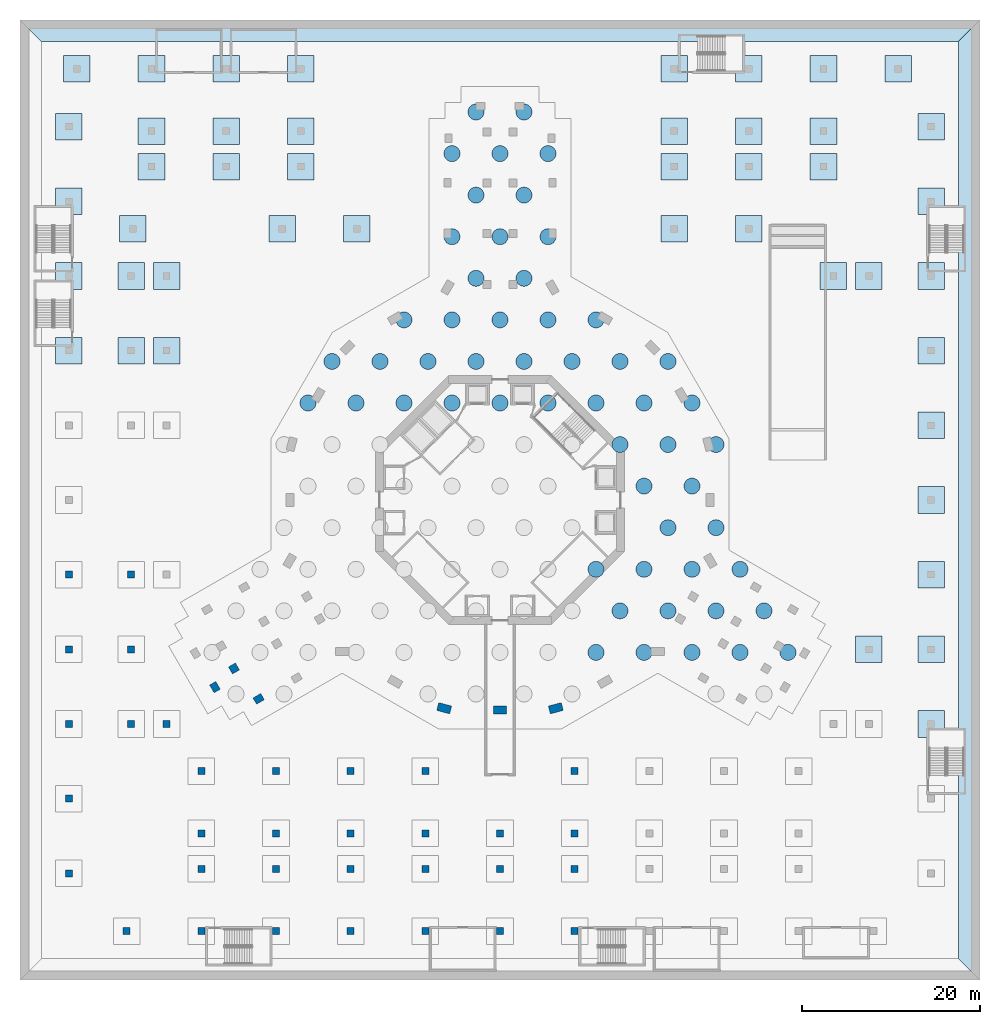
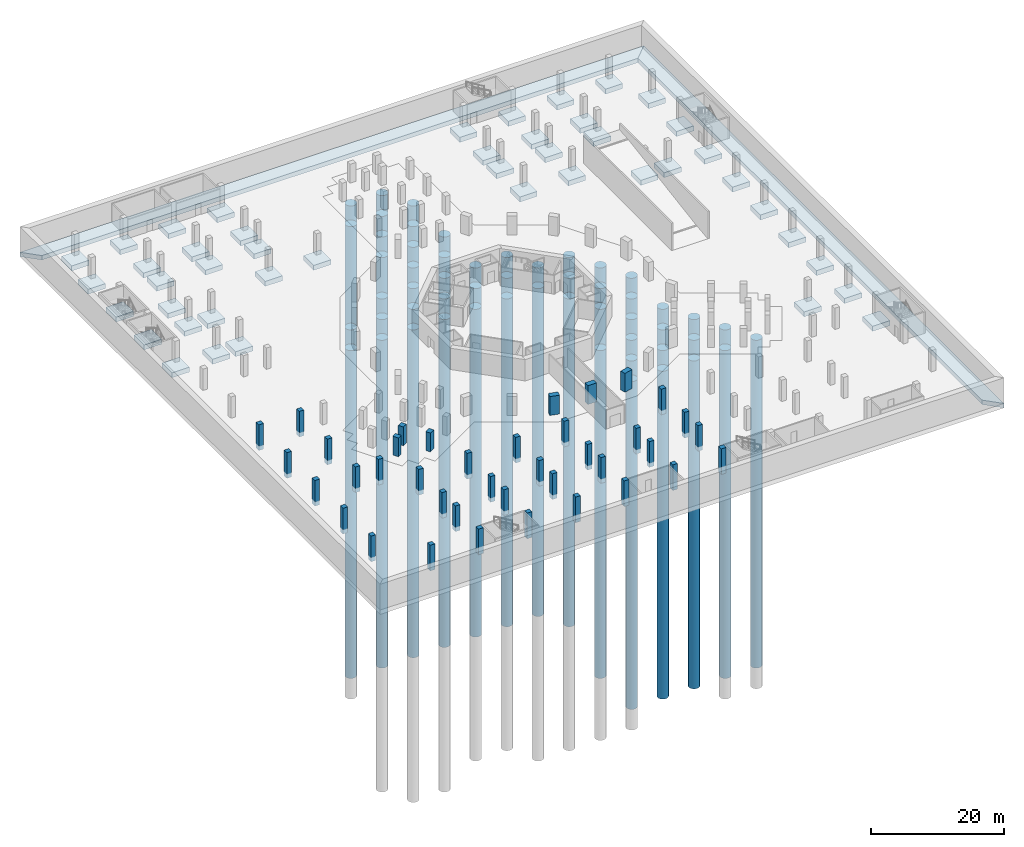
# One storey, part 2 of 27: 54 piles, 47 footings, 39 columns.
"""IFC4 building model written with IfcOpenShell, lengths in metres."""

from ifc_helpers import new_model, si_unit, direction, frame, origin, origin_2d, place, context, subcontext, project, spatial, polyline, rectangle, circle, outline, extrude, material, material_profile, profile_set, type_object, element, save


model = new_model("IFC4")

# Units and contexts
model_context = context("Model", 3, precision=1e-05, world=origin(), true_north=direction((0.0, 1.0)))
body_context = subcontext(model_context, "Body", "Model", "MODEL_VIEW")
ifc_project = project(units=[si_unit("LENGTHUNIT", "METRE"), si_unit("AREAUNIT", "SQUARE_METRE"), si_unit("VOLUMEUNIT", "CUBIC_METRE"), si_unit("PLANEANGLEUNIT", "RADIAN"), si_unit("MASSUNIT", "GRAM", prefix="KILO")], contexts=[model_context])

# Site, building, storey
site_placement = place(None, origin())
site = spatial("IfcSite", under=ifc_project, at=site_placement, CompositionType="ELEMENT")
building_placement = place(site_placement, origin())
building = spatial("IfcBuilding", under=site, at=building_placement, Name="Verdalira Terraces Hotel", CompositionType="ELEMENT")
storey_placement = place(building_placement, frame((0.0, 0.0, -11.699951)))
storey = spatial("IfcBuildingStorey", under=building, at=storey_placement, Name="B3", CompositionType="ELEMENT", Elevation=-11.699951171875)

# Piles
ifc_material_1 = material(Name="Concrete C45", Category="concrete")
ifc_material_profile_1 = material_profile(ifc_material_1, circle(Radius=0.899902, at=origin_2d()), Name="D1800")
ifc_profile_set_1 = profile_set([ifc_material_profile_1], Name="Concrete C45")
pile_type = type_object("IfcPileType", Name="Bored pile D1800 C45", PredefinedType="BORED", material=ifc_profile_set_1)
for number, where, z_axis, x_axis, name in (
    (1, (10.800049, -17.147217, -3.400146), (0.0, 0.0, -1.0), (1.0, 0.0, 0.0), "Bored pile P-017"),
    (2, (16.199951, -17.147217, -3.400146), (0.0, 0.0, -1.0), (1.0, 0.0, 0.0), "Bored pile P-018"),
    (3, (21.600098, -17.147217, -3.400146), (0.0, 0.0, -1.0), (1.0, 0.0, 0.0), "Bored pile P-019"),
    (4, (27.0, -17.147217, -3.400146), (0.0, 0.0, -1.0), (1.0, 0.0, 0.0), "Bored pile P-020"),
    (5, (32.399902, -17.147217, -3.400146), (0.0, 0.0, -1.0), (1.0, 0.0, 0.0), "Bored pile P-021"),
    (6, (13.5, -12.470703, -3.400146), (0.0, 0.0, -1.0), (1.0, 0.0, 0.0), "Bored pile P-030"),
    (7, (18.899902, -12.470703, -3.400146), (0.0, 0.0, -1.0), (1.0, 0.0, 0.0), "Bored pile P-031"),
    (8, (24.300049, -12.470703, -3.400146), (0.0, 0.0, -1.0), (1.0, 0.0, 0.0), "Bored pile P-032"),
    (9, (29.699951, -12.470703, -3.400146), (0.0, 0.0, -1.0), (1.0, 0.0, 0.0), "Bored pile P-033"),
    (10, (10.800049, -7.794189, -3.400146), (0.0, 0.0, -1.0), (1.0, 0.0, 0.0), "Bored pile P-041"),
    (11, (16.199951, -7.794189, -3.400146), (0.0, 0.0, -1.0), (1.0, 0.0, 0.0), "Bored pile P-042"),
    (12, (21.600098, -7.794189, -3.400146), (0.0, 0.0, -1.0), (1.0, 0.0, 0.0), "Bored pile P-043"),
    (13, (27.0, -7.794189, -3.400146), (0.0, 0.0, -1.0), (1.0, 0.0, 0.0), "Bored pile P-044"),
    (14, (18.899902, -3.117676, -3.400146), (0.0, 0.0, -1.0), (1.0, 0.0, 0.0), "Bored pile P-052"),
    (15, (24.300049, -3.117676, -3.400146), (0.0, 0.0, -1.0), (1.0, 0.0, 0.0), "Bored pile P-053"),
    (16, (16.199951, 1.558838, -3.400146), (0.0, 0.0, -1.0), (1.0, 0.0, 0.0), "Bored pile P-060"),
    (17, (21.600098, 1.558838, -3.400146), (0.0, 0.0, -1.0), (1.0, 0.0, 0.0), "Bored pile P-061"),
    (18, (13.5, 6.235352, -3.400146), (0.0, 0.0, -1.0), (1.0, 0.0, 0.0), "Bored pile P-068"),
    (19, (18.899902, 6.235352, -3.400146), (0.0, 0.0, -1.0), (1.0, 0.0, 0.0), "Bored pile P-069"),
    (20, (24.300049, 6.235352, -3.400146), (0.0, 0.0, -1.0), (1.0, 0.0, 0.0), "Bored pile P-070"),
    (21, (-21.600098, 10.911865, -3.400146), (0.0, 0.0, -1.0), (1.0, 0.0, 0.0), "Bored pile P-071"),
    (22, (-16.199951, 10.911865, -3.400146), (0.0, 0.0, -1.0), (1.0, 0.0, 0.0), "Bored pile P-072"),
    (23, (-10.800049, 10.911865, -3.400146), (0.0, 0.0, -1.0), (1.0, 0.0, 0.0), "Bored pile P-073"),
    (24, (-5.399902, 10.911865, -3.400146), (0.0, 0.0, -1.0), (1.0, 0.0, 0.0), "Bored pile P-074"),
    (25, (0.0, 10.911865, -3.400146), (0.0, 0.0, -1.0), (1.0, 0.0, 0.0), "Bored pile P-075"),
    (26, (5.399902, 10.911865, -3.400146), (0.0, 0.0, -1.0), (1.0, 0.0, 0.0), "Bored pile P-076"),
    (27, (10.800049, 10.911865, -3.400146), (0.0, 0.0, -1.0), (1.0, 0.0, 0.0), "Bored pile P-077"),
    (28, (16.199951, 10.911865, -3.400146), (0.0, 0.0, -1.0), (1.0, 0.0, 0.0), "Bored pile P-078"),
    (29, (21.600098, 10.911865, -3.400146), (0.0, 0.0, -1.0), (1.0, 0.0, 0.0), "Bored pile P-079"),
    (30, (-18.899902, 15.588379, -3.400146), (0.0, 0.0, -1.0), (1.0, 0.0, 0.0), "Bored pile P-080"),
    (31, (-13.5, 15.588379, -3.400146), (0.0, 0.0, -1.0), (1.0, 0.0, 0.0), "Bored pile P-081"),
    (32, (-8.100098, 15.588379, -3.400146), (0.0, 0.0, -1.0), (1.0, 0.0, 0.0), "Bored pile P-082"),
    (33, (-2.699951, 15.588379, -3.400146), (0.0, 0.0, -1.0), (1.0, 0.0, 0.0), "Bored pile P-083"),
    (34, (2.699951, 15.588379, -3.400146), (0.0, 0.0, -1.0), (1.0, 0.0, 0.0), "Bored pile P-084"),
    (35, (8.100098, 15.588379, -3.400146), (0.0, 0.0, -1.0), (1.0, 0.0, 0.0), "Bored pile P-085"),
    (36, (13.5, 15.588379, -3.400146), (0.0, 0.0, -1.0), (1.0, 0.0, 0.0), "Bored pile P-086"),
    (37, (18.899902, 15.588379, -3.400146), (0.0, 0.0, -1.0), (1.0, 0.0, 0.0), "Bored pile P-087"),
    (38, (-10.800049, 20.264893, -3.400146), (0.0, 0.0, -1.0), (1.0, 0.0, 0.0), "Bored pile P-088"),
    (39, (-5.399902, 20.264893, -3.400146), (0.0, 0.0, -1.0), (1.0, 0.0, 0.0), "Bored pile P-089"),
    (40, (0.0, 20.264893, -3.400146), (0.0, 0.0, -1.0), (1.0, 0.0, 0.0), "Bored pile P-090"),
    (41, (5.399902, 20.264893, -3.400146), (0.0, 0.0, -1.0), (1.0, 0.0, 0.0), "Bored pile P-091"),
    (42, (10.800049, 20.264893, -3.400146), (0.0, 0.0, -1.0), (1.0, 0.0, 0.0), "Bored pile P-092"),
    (43, (-2.699951, 24.941406, -3.400146), (0.0, 0.0, -1.0), (1.0, 0.0, 0.0), "Bored pile P-093"),
    (44, (2.699951, 24.941406, -3.400146), (0.0, 0.0, -1.0), (1.0, 0.0, 0.0), "Bored pile P-094"),
    (45, (-5.399902, 29.618164, -3.400146), (0.0, 0.0, -1.0), (1.0, 0.0, 0.0), "Bored pile P-095"),
    (46, (0.0, 29.618164, -3.400146), (0.0, 0.0, -1.0), (1.0, 0.0, 0.0), "Bored pile P-096"),
    (47, (5.399902, 29.618164, -3.400146), (0.0, 0.0, -1.0), (1.0, 0.0, 0.0), "Bored pile P-097"),
    (48, (-2.699951, 34.294678, -3.400146), (0.0, 0.0, -1.0), (1.0, 0.0, 0.0), "Bored pile P-098"),
    (49, (2.699951, 34.294678, -3.400146), (0.0, 0.0, -1.0), (1.0, 0.0, 0.0), "Bored pile P-099"),
    (50, (-5.399902, 38.971191, -3.400146), (0.0, 0.0, -1.0), (1.0, 0.0, 0.0), "Bored pile P-100"),
    (51, (0.0, 38.971191, -3.400146), (0.0, 0.0, -1.0), (1.0, 0.0, 0.0), "Bored pile P-101"),
    (52, (5.399902, 38.971191, -3.400146), (0.0, 0.0, -1.0), (1.0, 0.0, 0.0), "Bored pile P-102"),
    (53, (-2.699951, 43.647705, -3.400146), (0.0, 0.0, -1.0), (1.0, 0.0, 0.0), "Bored pile P-103"),
    (54, (2.699951, 43.647705, -3.400146), (0.0, 0.0, -1.0), (1.0, 0.0, 0.0), "Bored pile P-104"),
):
    element("IfcPile", number, at=place(storey_placement, frame(where, z_axis=z_axis, x_axis=x_axis)), inside=storey, type_object=pile_type, Name=name, PredefinedType="BORED", context=body_context, shape_type="SweptSolid", body=[
        extrude(circle(Radius=0.899902, at=origin_2d()), origin(), (0.0, 0.0, 1.0), 60.0),
    ])

# Footings
ifc_material_2 = material(Name="Concrete C40", Category="concrete")
footing_type_1 = type_object("IfcFootingType", Name="Pad footing 3000 C40", PredefinedType="PAD_FOOTING", material=ifc_material_2)
footing_1_placement = place(storey_placement, frame((0.0, 0.0, -1.699951)))
element("IfcFooting", 55, at=footing_1_placement, inside=storey, type_object=footing_type_1, Name="Pad footing 047", PredefinedType="PAD_FOOTING", context=body_context, shape_type="SweptSolid", body=[
    extrude(outline(polyline([(50.0, -26.699951), (50.0, -23.699951), (47.0, -23.699951), (47.0, -26.699951), (50.0, -26.699951)])), origin(), (0.0, 0.0, 1.0), 0.899902),
])
footing_2_placement = place(storey_placement, frame((0.0, 0.0, -1.699951)))
element("IfcFooting", 56, at=footing_2_placement, inside=storey, type_object=footing_type_1, Name="Pad footing 050", PredefinedType="PAD_FOOTING", context=body_context, shape_type="SweptSolid", body=[
    extrude(outline(polyline([(43.0, -18.300049), (43.0, -15.300049), (40.0, -15.300049), (40.0, -18.300049), (43.0, -18.300049)])), origin(), (0.0, 0.0, 1.0), 0.899902),
])
footing_3_placement = place(storey_placement, frame((0.0, 0.0, -1.699951)))
element("IfcFooting", 57, at=footing_3_placement, inside=storey, type_object=footing_type_1, Name="Pad footing 051", PredefinedType="PAD_FOOTING", context=body_context, shape_type="SweptSolid", body=[
    extrude(outline(polyline([(50.0, -18.300049), (50.0, -15.300049), (47.0, -15.300049), (47.0, -18.300049), (50.0, -18.300049)])), origin(), (0.0, 0.0, 1.0), 0.899902),
])
footing_4_placement = place(storey_placement, frame((0.0, 0.0, -1.699951)))
element("IfcFooting", 58, at=footing_4_placement, inside=storey, type_object=footing_type_1, Name="Pad footing 055", PredefinedType="PAD_FOOTING", context=body_context, shape_type="SweptSolid", body=[
    extrude(outline(polyline([(50.0, -9.899902), (50.0, -6.899902), (47.0, -6.899902), (47.0, -9.899902), (50.0, -9.899902)])), origin(), (0.0, 0.0, 1.0), 0.899902),
])
footing_5_placement = place(storey_placement, frame((0.0, 0.0, -1.699951)))
element("IfcFooting", 59, at=footing_5_placement, inside=storey, type_object=footing_type_1, Name="Pad footing 057", PredefinedType="PAD_FOOTING", context=body_context, shape_type="SweptSolid", body=[
    extrude(outline(polyline([(50.0, -1.5), (50.0, 1.5), (47.0, 1.5), (47.0, -1.5), (50.0, -1.5)])), origin(), (0.0, 0.0, 1.0), 0.899902),
])
footing_6_placement = place(storey_placement, frame((0.0, 0.0, -1.699951)))
element("IfcFooting", 60, at=footing_6_placement, inside=storey, type_object=footing_type_1, Name="Pad footing 061", PredefinedType="PAD_FOOTING", context=body_context, shape_type="SweptSolid", body=[
    extrude(outline(polyline([(50.0, 6.899902), (50.0, 9.899902), (47.0, 9.899902), (47.0, 6.899902), (50.0, 6.899902)])), origin(), (0.0, 0.0, 1.0), 0.899902),
])
footing_7_placement = place(storey_placement, frame((0.0, 0.0, -1.699951)))
element("IfcFooting", 61, at=footing_7_placement, inside=storey, type_object=footing_type_1, Name="Pad footing 062", PredefinedType="PAD_FOOTING", context=body_context, shape_type="SweptSolid", body=[
    extrude(outline(polyline([(-47.0, 15.300049), (-47.0, 18.300049), (-50.0, 18.300049), (-50.0, 15.300049), (-47.0, 15.300049)])), origin(), (0.0, 0.0, 1.0), 0.899902),
])
footing_8_placement = place(storey_placement, frame((0.0, 0.0, -1.699951)))
element("IfcFooting", 62, at=footing_8_placement, inside=storey, type_object=footing_type_1, Name="Pad footing 063", PredefinedType="PAD_FOOTING", context=body_context, shape_type="SweptSolid", body=[
    extrude(outline(polyline([(-40.0, 15.300049), (-40.0, 18.300049), (-43.0, 18.300049), (-43.0, 15.300049), (-40.0, 15.300049)])), origin(), (0.0, 0.0, 1.0), 0.899902),
])
footing_9_placement = place(storey_placement, frame((0.0, 0.0, -1.699951)))
element("IfcFooting", 63, at=footing_9_placement, inside=storey, type_object=footing_type_1, Name="Pad footing 064", PredefinedType="PAD_FOOTING", context=body_context, shape_type="SweptSolid", body=[
    extrude(outline(polyline([(-36.0, 15.300049), (-36.0, 18.300049), (-39.0, 18.300049), (-39.0, 15.300049), (-36.0, 15.300049)])), origin(), (0.0, 0.0, 1.0), 0.899902),
])
footing_10_placement = place(storey_placement, frame((0.0, 0.0, -1.699951)))
element("IfcFooting", 64, at=footing_10_placement, inside=storey, type_object=footing_type_1, Name="Pad footing 065", PredefinedType="PAD_FOOTING", context=body_context, shape_type="SweptSolid", body=[
    extrude(outline(polyline([(50.0, 15.300049), (50.0, 18.300049), (47.0, 18.300049), (47.0, 15.300049), (50.0, 15.300049)])), origin(), (0.0, 0.0, 1.0), 0.899902),
])
footing_11_placement = place(storey_placement, frame((0.0, 0.0, -1.699951)))
element("IfcFooting", 65, at=footing_11_placement, inside=storey, type_object=footing_type_1, Name="Pad footing 066", PredefinedType="PAD_FOOTING", context=body_context, shape_type="SweptSolid", body=[
    extrude(outline(polyline([(-47.0, 23.699951), (-47.0, 26.699951), (-50.0, 26.699951), (-50.0, 23.699951), (-47.0, 23.699951)])), origin(), (0.0, 0.0, 1.0), 0.899902),
])
footing_12_placement = place(storey_placement, frame((0.0, 0.0, -1.699951)))
element("IfcFooting", 66, at=footing_12_placement, inside=storey, type_object=footing_type_1, Name="Pad footing 067", PredefinedType="PAD_FOOTING", context=body_context, shape_type="SweptSolid", body=[
    extrude(outline(polyline([(-40.0, 23.699951), (-40.0, 26.699951), (-43.0, 26.699951), (-43.0, 23.699951), (-40.0, 23.699951)])), origin(), (0.0, 0.0, 1.0), 0.899902),
])
footing_13_placement = place(storey_placement, frame((0.0, 0.0, -1.699951)))
element("IfcFooting", 67, at=footing_13_placement, inside=storey, type_object=footing_type_1, Name="Pad footing 068", PredefinedType="PAD_FOOTING", context=body_context, shape_type="SweptSolid", body=[
    extrude(outline(polyline([(-36.0, 23.699951), (-36.0, 26.699951), (-39.0, 26.699951), (-39.0, 23.699951), (-36.0, 23.699951)])), origin(), (0.0, 0.0, 1.0), 0.899902),
])
footing_14_placement = place(storey_placement, frame((0.0, 0.0, -1.699951)))
element("IfcFooting", 68, at=footing_14_placement, inside=storey, type_object=footing_type_1, Name="Pad footing 069", PredefinedType="PAD_FOOTING", context=body_context, shape_type="SweptSolid", body=[
    extrude(outline(polyline([(39.0, 23.699951), (39.0, 26.699951), (36.0, 26.699951), (36.0, 23.699951), (39.0, 23.699951)])), origin(), (0.0, 0.0, 1.0), 0.899902),
])
footing_15_placement = place(storey_placement, frame((0.0, 0.0, -1.699951)))
element("IfcFooting", 69, at=footing_15_placement, inside=storey, type_object=footing_type_1, Name="Pad footing 070", PredefinedType="PAD_FOOTING", context=body_context, shape_type="SweptSolid", body=[
    extrude(outline(polyline([(43.0, 23.699951), (43.0, 26.699951), (40.0, 26.699951), (40.0, 23.699951), (43.0, 23.699951)])), origin(), (0.0, 0.0, 1.0), 0.899902),
])
footing_16_placement = place(storey_placement, frame((0.0, 0.0, -1.699951)))
element("IfcFooting", 70, at=footing_16_placement, inside=storey, type_object=footing_type_1, Name="Pad footing 071", PredefinedType="PAD_FOOTING", context=body_context, shape_type="SweptSolid", body=[
    extrude(outline(polyline([(50.0, 23.699951), (50.0, 26.699951), (47.0, 26.699951), (47.0, 23.699951), (50.0, 23.699951)])), origin(), (0.0, 0.0, 1.0), 0.899902),
])
footing_17_placement = place(storey_placement, frame((0.0, 0.0, -1.699951)))
element("IfcFooting", 71, at=footing_17_placement, inside=storey, type_object=footing_type_1, Name="Pad footing 072", PredefinedType="PAD_FOOTING", context=body_context, shape_type="SweptSolid", body=[
    extrude(outline(polyline([(-39.800049, 29.0), (-39.800049, 32.0), (-42.800049, 32.0), (-42.800049, 29.0), (-39.800049, 29.0)])), origin(), (0.0, 0.0, 1.0), 0.899902),
])
footing_18_placement = place(storey_placement, frame((0.0, 0.0, -1.699951)))
element("IfcFooting", 72, at=footing_18_placement, inside=storey, type_object=footing_type_1, Name="Pad footing 073", PredefinedType="PAD_FOOTING", context=body_context, shape_type="SweptSolid", body=[
    extrude(outline(polyline([(-23.0, 29.0), (-23.0, 32.0), (-26.0, 32.0), (-26.0, 29.0), (-23.0, 29.0)])), origin(), (0.0, 0.0, 1.0), 0.899902),
])
footing_19_placement = place(storey_placement, frame((0.0, 0.0, -1.699951)))
element("IfcFooting", 73, at=footing_19_placement, inside=storey, type_object=footing_type_1, Name="Pad footing 074", PredefinedType="PAD_FOOTING", context=body_context, shape_type="SweptSolid", body=[
    extrude(outline(polyline([(-14.600098, 29.0), (-14.600098, 32.0), (-17.600098, 32.0), (-17.600098, 29.0), (-14.600098, 29.0)])), origin(), (0.0, 0.0, 1.0), 0.899902),
])
footing_20_placement = place(storey_placement, frame((0.0, 0.0, -1.699951)))
element("IfcFooting", 74, at=footing_20_placement, inside=storey, type_object=footing_type_1, Name="Pad footing 075", PredefinedType="PAD_FOOTING", context=body_context, shape_type="SweptSolid", body=[
    extrude(outline(polyline([(21.100098, 29.0), (21.100098, 32.0), (18.100098, 32.0), (18.100098, 29.0), (21.100098, 29.0)])), origin(), (0.0, 0.0, 1.0), 0.899902),
])
footing_21_placement = place(storey_placement, frame((0.0, 0.0, -1.699951)))
element("IfcFooting", 75, at=footing_21_placement, inside=storey, type_object=footing_type_1, Name="Pad footing 076", PredefinedType="PAD_FOOTING", context=body_context, shape_type="SweptSolid", body=[
    extrude(outline(polyline([(29.5, 29.0), (29.5, 32.0), (26.5, 32.0), (26.5, 29.0), (29.5, 29.0)])), origin(), (0.0, 0.0, 1.0), 0.899902),
])
footing_22_placement = place(storey_placement, frame((0.0, 0.0, -1.699951)))
element("IfcFooting", 76, at=footing_22_placement, inside=storey, type_object=footing_type_1, Name="Pad footing 077", PredefinedType="PAD_FOOTING", context=body_context, shape_type="SweptSolid", body=[
    extrude(outline(polyline([(-47.0, 32.100098), (-47.0, 35.100098), (-50.0, 35.100098), (-50.0, 32.100098), (-47.0, 32.100098)])), origin(), (0.0, 0.0, 1.0), 0.899902),
])
footing_23_placement = place(storey_placement, frame((0.0, 0.0, -1.699951)))
element("IfcFooting", 77, at=footing_23_placement, inside=storey, type_object=footing_type_1, Name="Pad footing 078", PredefinedType="PAD_FOOTING", context=body_context, shape_type="SweptSolid", body=[
    extrude(outline(polyline([(50.0, 32.100098), (50.0, 35.100098), (47.0, 35.100098), (47.0, 32.100098), (50.0, 32.100098)])), origin(), (0.0, 0.0, 1.0), 0.899902),
])
footing_24_placement = place(storey_placement, frame((0.0, 0.0, -1.699951)))
element("IfcFooting", 78, at=footing_24_placement, inside=storey, type_object=footing_type_1, Name="Pad footing 079", PredefinedType="PAD_FOOTING", context=body_context, shape_type="SweptSolid", body=[
    extrude(outline(polyline([(-37.699951, 36.0), (-37.699951, 39.0), (-40.699951, 39.0), (-40.699951, 36.0), (-37.699951, 36.0)])), origin(), (0.0, 0.0, 1.0), 0.899902),
])
footing_25_placement = place(storey_placement, frame((0.0, 0.0, -1.699951)))
element("IfcFooting", 79, at=footing_25_placement, inside=storey, type_object=footing_type_1, Name="Pad footing 080", PredefinedType="PAD_FOOTING", context=body_context, shape_type="SweptSolid", body=[
    extrude(outline(polyline([(-29.300049, 36.0), (-29.300049, 39.0), (-32.300049, 39.0), (-32.300049, 36.0), (-29.300049, 36.0)])), origin(), (0.0, 0.0, 1.0), 0.899902),
])
footing_26_placement = place(storey_placement, frame((0.0, 0.0, -1.699951)))
element("IfcFooting", 80, at=footing_26_placement, inside=storey, type_object=footing_type_1, Name="Pad footing 081", PredefinedType="PAD_FOOTING", context=body_context, shape_type="SweptSolid", body=[
    extrude(outline(polyline([(-20.899902, 36.0), (-20.899902, 39.0), (-23.899902, 39.0), (-23.899902, 36.0), (-20.899902, 36.0)])), origin(), (0.0, 0.0, 1.0), 0.899902),
])
footing_27_placement = place(storey_placement, frame((0.0, 0.0, -1.699951)))
element("IfcFooting", 81, at=footing_27_placement, inside=storey, type_object=footing_type_1, Name="Pad footing 082", PredefinedType="PAD_FOOTING", context=body_context, shape_type="SweptSolid", body=[
    extrude(outline(polyline([(21.100098, 36.0), (21.100098, 39.0), (18.100098, 39.0), (18.100098, 36.0), (21.100098, 36.0)])), origin(), (0.0, 0.0, 1.0), 0.899902),
])
footing_28_placement = place(storey_placement, frame((0.0, 0.0, -1.699951)))
element("IfcFooting", 82, at=footing_28_placement, inside=storey, type_object=footing_type_1, Name="Pad footing 083", PredefinedType="PAD_FOOTING", context=body_context, shape_type="SweptSolid", body=[
    extrude(outline(polyline([(29.5, 36.0), (29.5, 39.0), (26.5, 39.0), (26.5, 36.0), (29.5, 36.0)])), origin(), (0.0, 0.0, 1.0), 0.899902),
])
footing_29_placement = place(storey_placement, frame((0.0, 0.0, -1.699951)))
element("IfcFooting", 83, at=footing_29_placement, inside=storey, type_object=footing_type_1, Name="Pad footing 084", PredefinedType="PAD_FOOTING", context=body_context, shape_type="SweptSolid", body=[
    extrude(outline(polyline([(37.899902, 36.0), (37.899902, 39.0), (34.899902, 39.0), (34.899902, 36.0), (37.899902, 36.0)])), origin(), (0.0, 0.0, 1.0), 0.899902),
])
footing_30_placement = place(storey_placement, frame((0.0, 0.0, -1.699951)))
element("IfcFooting", 84, at=footing_30_placement, inside=storey, type_object=footing_type_1, Name="Pad footing 085", PredefinedType="PAD_FOOTING", context=body_context, shape_type="SweptSolid", body=[
    extrude(outline(polyline([(-37.699951, 40.0), (-37.699951, 43.0), (-40.699951, 43.0), (-40.699951, 40.0), (-37.699951, 40.0)])), origin(), (0.0, 0.0, 1.0), 0.899902),
])
footing_31_placement = place(storey_placement, frame((0.0, 0.0, -1.699951)))
element("IfcFooting", 85, at=footing_31_placement, inside=storey, type_object=footing_type_1, Name="Pad footing 086", PredefinedType="PAD_FOOTING", context=body_context, shape_type="SweptSolid", body=[
    extrude(outline(polyline([(-29.300049, 40.0), (-29.300049, 43.0), (-32.300049, 43.0), (-32.300049, 40.0), (-29.300049, 40.0)])), origin(), (0.0, 0.0, 1.0), 0.899902),
])
footing_32_placement = place(storey_placement, frame((0.0, 0.0, -1.699951)))
element("IfcFooting", 86, at=footing_32_placement, inside=storey, type_object=footing_type_1, Name="Pad footing 087", PredefinedType="PAD_FOOTING", context=body_context, shape_type="SweptSolid", body=[
    extrude(outline(polyline([(-20.899902, 40.0), (-20.899902, 43.0), (-23.899902, 43.0), (-23.899902, 40.0), (-20.899902, 40.0)])), origin(), (0.0, 0.0, 1.0), 0.899902),
])
footing_33_placement = place(storey_placement, frame((0.0, 0.0, -1.699951)))
element("IfcFooting", 87, at=footing_33_placement, inside=storey, type_object=footing_type_1, Name="Pad footing 088", PredefinedType="PAD_FOOTING", context=body_context, shape_type="SweptSolid", body=[
    extrude(outline(polyline([(21.100098, 40.0), (21.100098, 43.0), (18.100098, 43.0), (18.100098, 40.0), (21.100098, 40.0)])), origin(), (0.0, 0.0, 1.0), 0.899902),
])
footing_34_placement = place(storey_placement, frame((0.0, 0.0, -1.699951)))
element("IfcFooting", 88, at=footing_34_placement, inside=storey, type_object=footing_type_1, Name="Pad footing 089", PredefinedType="PAD_FOOTING", context=body_context, shape_type="SweptSolid", body=[
    extrude(outline(polyline([(29.5, 40.0), (29.5, 43.0), (26.5, 43.0), (26.5, 40.0), (29.5, 40.0)])), origin(), (0.0, 0.0, 1.0), 0.899902),
])
footing_35_placement = place(storey_placement, frame((0.0, 0.0, -1.699951)))
element("IfcFooting", 89, at=footing_35_placement, inside=storey, type_object=footing_type_1, Name="Pad footing 090", PredefinedType="PAD_FOOTING", context=body_context, shape_type="SweptSolid", body=[
    extrude(outline(polyline([(37.899902, 40.0), (37.899902, 43.0), (34.899902, 43.0), (34.899902, 40.0), (37.899902, 40.0)])), origin(), (0.0, 0.0, 1.0), 0.899902),
])
footing_36_placement = place(storey_placement, frame((0.0, 0.0, -1.699951)))
element("IfcFooting", 90, at=footing_36_placement, inside=storey, type_object=footing_type_1, Name="Pad footing 091", PredefinedType="PAD_FOOTING", context=body_context, shape_type="SweptSolid", body=[
    extrude(outline(polyline([(-47.0, 40.5), (-47.0, 43.5), (-50.0, 43.5), (-50.0, 40.5), (-47.0, 40.5)])), origin(), (0.0, 0.0, 1.0), 0.899902),
])
footing_37_placement = place(storey_placement, frame((0.0, 0.0, -1.699951)))
element("IfcFooting", 91, at=footing_37_placement, inside=storey, type_object=footing_type_1, Name="Pad footing 092", PredefinedType="PAD_FOOTING", context=body_context, shape_type="SweptSolid", body=[
    extrude(outline(polyline([(50.0, 40.5), (50.0, 43.5), (47.0, 43.5), (47.0, 40.5), (50.0, 40.5)])), origin(), (0.0, 0.0, 1.0), 0.899902),
])
footing_38_placement = place(storey_placement, frame((0.0, 0.0, -1.699951)))
element("IfcFooting", 92, at=footing_38_placement, inside=storey, type_object=footing_type_1, Name="Pad footing 093", PredefinedType="PAD_FOOTING", context=body_context, shape_type="SweptSolid", body=[
    extrude(outline(polyline([(-46.100098, 47.0), (-46.100098, 50.0), (-49.100098, 50.0), (-49.100098, 47.0), (-46.100098, 47.0)])), origin(), (0.0, 0.0, 1.0), 0.899902),
])
footing_39_placement = place(storey_placement, frame((0.0, 0.0, -1.699951)))
element("IfcFooting", 93, at=footing_39_placement, inside=storey, type_object=footing_type_1, Name="Pad footing 094", PredefinedType="PAD_FOOTING", context=body_context, shape_type="SweptSolid", body=[
    extrude(outline(polyline([(-37.699951, 47.0), (-37.699951, 50.0), (-40.699951, 50.0), (-40.699951, 47.0), (-37.699951, 47.0)])), origin(), (0.0, 0.0, 1.0), 0.899902),
])
footing_40_placement = place(storey_placement, frame((0.0, 0.0, -1.699951)))
element("IfcFooting", 94, at=footing_40_placement, inside=storey, type_object=footing_type_1, Name="Pad footing 095", PredefinedType="PAD_FOOTING", context=body_context, shape_type="SweptSolid", body=[
    extrude(outline(polyline([(-29.300049, 47.0), (-29.300049, 50.0), (-32.300049, 50.0), (-32.300049, 47.0), (-29.300049, 47.0)])), origin(), (0.0, 0.0, 1.0), 0.899902),
])
footing_41_placement = place(storey_placement, frame((0.0, 0.0, -1.699951)))
element("IfcFooting", 95, at=footing_41_placement, inside=storey, type_object=footing_type_1, Name="Pad footing 096", PredefinedType="PAD_FOOTING", context=body_context, shape_type="SweptSolid", body=[
    extrude(outline(polyline([(-20.899902, 47.0), (-20.899902, 50.0), (-23.899902, 50.0), (-23.899902, 47.0), (-20.899902, 47.0)])), origin(), (0.0, 0.0, 1.0), 0.899902),
])
footing_42_placement = place(storey_placement, frame((0.0, 0.0, -1.699951)))
element("IfcFooting", 96, at=footing_42_placement, inside=storey, type_object=footing_type_1, Name="Pad footing 097", PredefinedType="PAD_FOOTING", context=body_context, shape_type="SweptSolid", body=[
    extrude(outline(polyline([(21.100098, 47.0), (21.100098, 50.0), (18.100098, 50.0), (18.100098, 47.0), (21.100098, 47.0)])), origin(), (0.0, 0.0, 1.0), 0.899902),
])
footing_43_placement = place(storey_placement, frame((0.0, 0.0, -1.699951)))
element("IfcFooting", 97, at=footing_43_placement, inside=storey, type_object=footing_type_1, Name="Pad footing 098", PredefinedType="PAD_FOOTING", context=body_context, shape_type="SweptSolid", body=[
    extrude(outline(polyline([(29.5, 47.0), (29.5, 50.0), (26.5, 50.0), (26.5, 47.0), (29.5, 47.0)])), origin(), (0.0, 0.0, 1.0), 0.899902),
])
footing_44_placement = place(storey_placement, frame((0.0, 0.0, -1.699951)))
element("IfcFooting", 98, at=footing_44_placement, inside=storey, type_object=footing_type_1, Name="Pad footing 099", PredefinedType="PAD_FOOTING", context=body_context, shape_type="SweptSolid", body=[
    extrude(outline(polyline([(37.899902, 47.0), (37.899902, 50.0), (34.899902, 50.0), (34.899902, 47.0), (37.899902, 47.0)])), origin(), (0.0, 0.0, 1.0), 0.899902),
])
footing_45_placement = place(storey_placement, frame((0.0, 0.0, -1.699951)))
element("IfcFooting", 99, at=footing_45_placement, inside=storey, type_object=footing_type_1, Name="Pad footing 100", PredefinedType="PAD_FOOTING", context=body_context, shape_type="SweptSolid", body=[
    extrude(outline(polyline([(46.300049, 47.0), (46.300049, 50.0), (43.300049, 50.0), (43.300049, 47.0), (46.300049, 47.0)])), origin(), (0.0, 0.0, 1.0), 0.899902),
])
ifc_material_3 = material(Name="Concrete C40", Category="concrete")
footing_type_2 = type_object("IfcFootingType", Name="Wall strip footing 800 C40", PredefinedType="STRIP_FOOTING", material=ifc_material_3)
footing_46_placement = place(storey_placement, frame((0.0, 0.0, -1.600098)))
element("IfcFooting", 100, at=footing_46_placement, inside=storey, type_object=footing_type_2, Name="Retaining wall strip footing 1", PredefinedType="STRIP_FOOTING", context=body_context, shape_type="SweptSolid", body=[
    extrude(outline(polyline([(54.0, 54.0), (-54.0, 54.0), (-51.600098, 51.600098), (51.600098, 51.600098), (54.0, 54.0)])), origin(), (0.0, 0.0, 1.0), 0.800049),
])
footing_47_placement = place(storey_placement, frame((0.0, 0.0, -1.600098)))
element("IfcFooting", 101, at=footing_47_placement, inside=storey, type_object=footing_type_2, Name="Retaining wall strip footing 4", PredefinedType="STRIP_FOOTING", context=body_context, shape_type="SweptSolid", body=[
    extrude(outline(polyline([(54.0, -54.0), (54.0, 54.0), (51.600098, 51.600098), (51.600098, -51.600098), (54.0, -54.0)])), origin(), (0.0, 0.0, 1.0), 0.800049),
])

# Columns
ifc_material_4 = material(Name="Concrete C80", Category="concrete")
ifc_material_profile_2 = material_profile(ifc_material_4, rectangle(XDim=1.0, YDim=0.800049, at=origin_2d()), Name="RC 1000X800")
ifc_profile_set_2 = profile_set([ifc_material_profile_2], Name="Concrete C80")
column_type_1 = type_object("IfcColumnType", Name="Column RC 1000X800 C80", PredefinedType="COLUMN", material=ifc_profile_set_2)
for number, where, z_axis, x_axis, name in (
    (102, (-32.068848, -21.05542, 0.0), (0.0, 0.0, 1.0), (0.5, -0.866025404, 0.0), "Column C17"),
    (103, (-27.151123, -22.372803, 0.0), (0.0, 0.0, 1.0), (0.866025404, 0.5, 0.0), "Column C18"),
):
    element("IfcColumn", number, at=place(storey_placement, frame(where, z_axis=z_axis, x_axis=x_axis)), inside=storey, type_object=column_type_1, Name=name, PredefinedType="COLUMN", context=body_context, shape_type="SweptSolid", body=[
        extrude(rectangle(XDim=1.0, YDim=0.800049, at=origin_2d()), origin(), (0.0, 0.0, 1.0), 3.449951),
    ])
ifc_material_5 = material(Name="Concrete C80", Category="concrete")
ifc_material_profile_3 = material_profile(ifc_material_5, rectangle(XDim=1.5, YDim=0.899902, at=origin_2d()), Name="RC 1500X900")
ifc_profile_set_3 = profile_set([ifc_material_profile_3], Name="Concrete C80")
column_type_2 = type_object("IfcColumnType", Name="Column RC 1500X900 C80", PredefinedType="COLUMN", material=ifc_profile_set_3)
for number, where, z_axis, x_axis, name in (
    (104, (-6.277588, -23.428223, 0.0), (0.0, 0.0, 1.0), (-0.965925826, 0.258819045, 0.0), "Column C22"),
    (105, (0.0, -23.608398, 0.0), (0.0, 0.0, 1.0), (1.0, 0.0, 0.0), "Column C23"),
    (106, (6.277588, -23.428223, 0.0), (0.0, 0.0, 1.0), (-0.965925826, -0.258819045, 0.0), "Column C24"),
):
    element("IfcColumn", number, at=place(storey_placement, frame(where, z_axis=z_axis, x_axis=x_axis)), inside=storey, type_object=column_type_2, Name=name, PredefinedType="COLUMN", context=body_context, shape_type="SweptSolid", body=[
        extrude(rectangle(XDim=1.5, YDim=0.899902, at=origin_2d()), origin(), (0.0, 0.0, 1.0), 3.449951),
    ])
ifc_material_6 = material(Name="Concrete C60", Category="concrete")
ifc_material_profile_4 = material_profile(ifc_material_6, rectangle(XDim=0.800049, YDim=0.800049, at=origin_2d()), Name="RC 800X800")
ifc_profile_set_4 = profile_set([ifc_material_profile_4], Name="Concrete C60")
column_type_3 = type_object("IfcColumnType", Name="Column RC 800X800 C60", PredefinedType="COLUMN", material=ifc_profile_set_4)
for number, where, z_axis, x_axis, name in (
    (107, (-42.0, -48.5, -0.800049), (0.0, 0.0, 1.0), (1.0, 0.0, 0.0), "Car park column 001"),
    (108, (-33.600098, -48.5, -0.800049), (0.0, 0.0, 1.0), (1.0, 0.0, 0.0), "Car park column 002"),
    (109, (-25.199951, -48.5, -0.800049), (0.0, 0.0, 1.0), (1.0, 0.0, 0.0), "Car park column 003"),
    (110, (-16.800049, -48.5, -0.800049), (0.0, 0.0, 1.0), (1.0, 0.0, 0.0), "Car park column 004"),
    (111, (-8.399902, -48.5, -0.800049), (0.0, 0.0, 1.0), (1.0, 0.0, 0.0), "Car park column 005"),
    (112, (0.0, -48.5, -0.800049), (0.0, 0.0, 1.0), (1.0, 0.0, 0.0), "Car park column 006"),
    (113, (8.399902, -48.5, -0.800049), (0.0, 0.0, 1.0), (1.0, 0.0, 0.0), "Car park column 007"),
    (114, (-48.5, -42.0, -0.800049), (0.0, 0.0, 1.0), (1.0, 0.0, 0.0), "Car park column 012"),
    (115, (-33.600098, -41.5, -0.800049), (0.0, 0.0, 1.0), (1.0, 0.0, 0.0), "Car park column 014"),
    (116, (-25.199951, -41.5, -0.800049), (0.0, 0.0, 1.0), (1.0, 0.0, 0.0), "Car park column 015"),
    (117, (-16.800049, -41.5, -0.800049), (0.0, 0.0, 1.0), (1.0, 0.0, 0.0), "Car park column 016"),
    (118, (-8.399902, -41.5, -0.800049), (0.0, 0.0, 1.0), (1.0, 0.0, 0.0), "Car park column 017"),
    (119, (0.0, -41.5, -0.800049), (0.0, 0.0, 1.0), (1.0, 0.0, 0.0), "Car park column 018"),
    (120, (8.399902, -41.5, -0.800049), (0.0, 0.0, 1.0), (1.0, 0.0, 0.0), "Car park column 019"),
    (121, (-33.600098, -37.5, -0.800049), (0.0, 0.0, 1.0), (1.0, 0.0, 0.0), "Car park column 023"),
    (122, (-25.199951, -37.5, -0.800049), (0.0, 0.0, 1.0), (1.0, 0.0, 0.0), "Car park column 024"),
    (123, (-16.800049, -37.5, -0.800049), (0.0, 0.0, 1.0), (1.0, 0.0, 0.0), "Car park column 025"),
    (124, (-8.399902, -37.5, -0.800049), (0.0, 0.0, 1.0), (1.0, 0.0, 0.0), "Car park column 026"),
    (125, (0.0, -37.5, -0.800049), (0.0, 0.0, 1.0), (1.0, 0.0, 0.0), "Car park column 027"),
    (126, (8.399902, -37.5, -0.800049), (0.0, 0.0, 1.0), (1.0, 0.0, 0.0), "Car park column 028"),
    (127, (-48.5, -33.600098, -0.800049), (0.0, 0.0, 1.0), (1.0, 0.0, 0.0), "Car park column 032"),
    (128, (-33.600098, -30.5, -0.800049), (0.0, 0.0, 1.0), (1.0, 0.0, 0.0), "Car park column 034"),
    (129, (-25.199951, -30.5, -0.800049), (0.0, 0.0, 1.0), (1.0, 0.0, 0.0), "Car park column 035"),
    (130, (-16.800049, -30.5, -0.800049), (0.0, 0.0, 1.0), (1.0, 0.0, 0.0), "Car park column 036"),
    (131, (-8.399902, -30.5, -0.800049), (0.0, 0.0, 1.0), (1.0, 0.0, 0.0), "Car park column 037"),
    (132, (8.399902, -30.5, -0.800049), (0.0, 0.0, 1.0), (1.0, 0.0, 0.0), "Car park column 038"),
    (133, (-48.5, -25.199951, -0.800049), (0.0, 0.0, 1.0), (1.0, 0.0, 0.0), "Car park column 042"),
    (134, (-41.5, -25.199951, -0.800049), (0.0, 0.0, 1.0), (1.0, 0.0, 0.0), "Car park column 043"),
    (135, (-37.5, -25.199951, -0.800049), (0.0, 0.0, 1.0), (1.0, 0.0, 0.0), "Car park column 044"),
    (136, (-48.5, -16.800049, -0.800049), (0.0, 0.0, 1.0), (1.0, 0.0, 0.0), "Car park column 048"),
    (137, (-41.5, -16.800049, -0.800049), (0.0, 0.0, 1.0), (1.0, 0.0, 0.0), "Car park column 049"),
    (138, (-48.5, -8.399902, -0.800049), (0.0, 0.0, 1.0), (1.0, 0.0, 0.0), "Car park column 052"),
    (139, (-41.5, -8.399902, -0.800049), (0.0, 0.0, 1.0), (1.0, 0.0, 0.0), "Car park column 053"),
):
    element("IfcColumn", number, at=place(storey_placement, frame(where, z_axis=z_axis, x_axis=x_axis)), inside=storey, type_object=column_type_3, Name=name, PredefinedType="COLUMN", context=body_context, shape_type="SweptSolid", body=[
        extrude(rectangle(XDim=0.800049, YDim=0.800049, at=origin_2d()), origin(), (0.0, 0.0, 1.0), 4.699951),
    ])
ifc_material_7 = material(Name="Concrete C80", Category="concrete")
ifc_material_profile_5 = material_profile(ifc_material_7, rectangle(XDim=0.899902, YDim=0.899902, at=origin_2d()), Name="RC 900X900")
ifc_profile_set_5 = profile_set([ifc_material_profile_5], Name="Concrete C80")
column_type_4 = type_object("IfcColumnType", Name="Column RC 900X900 C80", PredefinedType="COLUMN", material=ifc_profile_set_5)
column_placement = place(storey_placement, frame((-29.932373, -18.955811, 0.0), z_axis=(0.0, 0.0, 1.0), x_axis=(-0.866025404, -0.5, 0.0)))
element("IfcColumn", 140, at=column_placement, inside=storey, type_object=column_type_4, Name="Column C55", PredefinedType="COLUMN", context=body_context, shape_type="SweptSolid", body=[
    extrude(rectangle(XDim=0.899902, YDim=0.899902, at=origin_2d()), origin(), (0.0, 0.0, 1.0), 3.449951),
])

save(model, "model.ifc")
